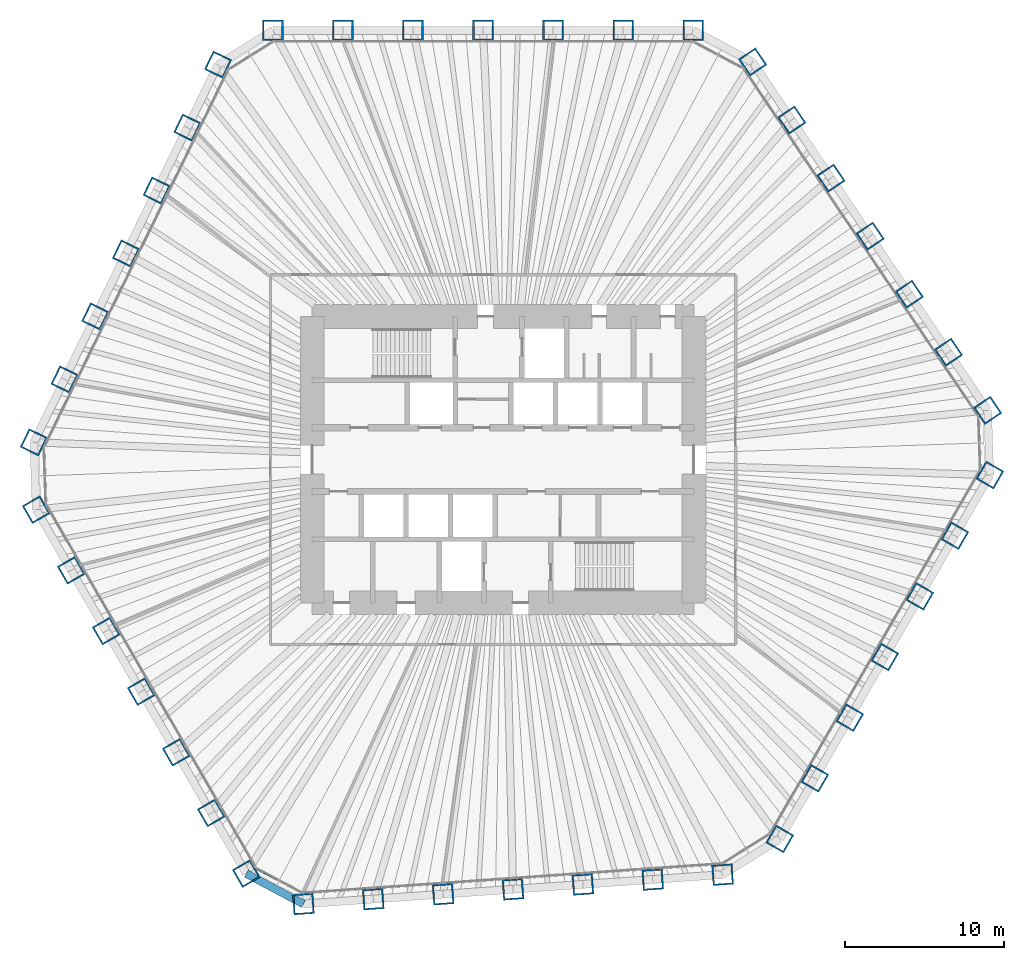
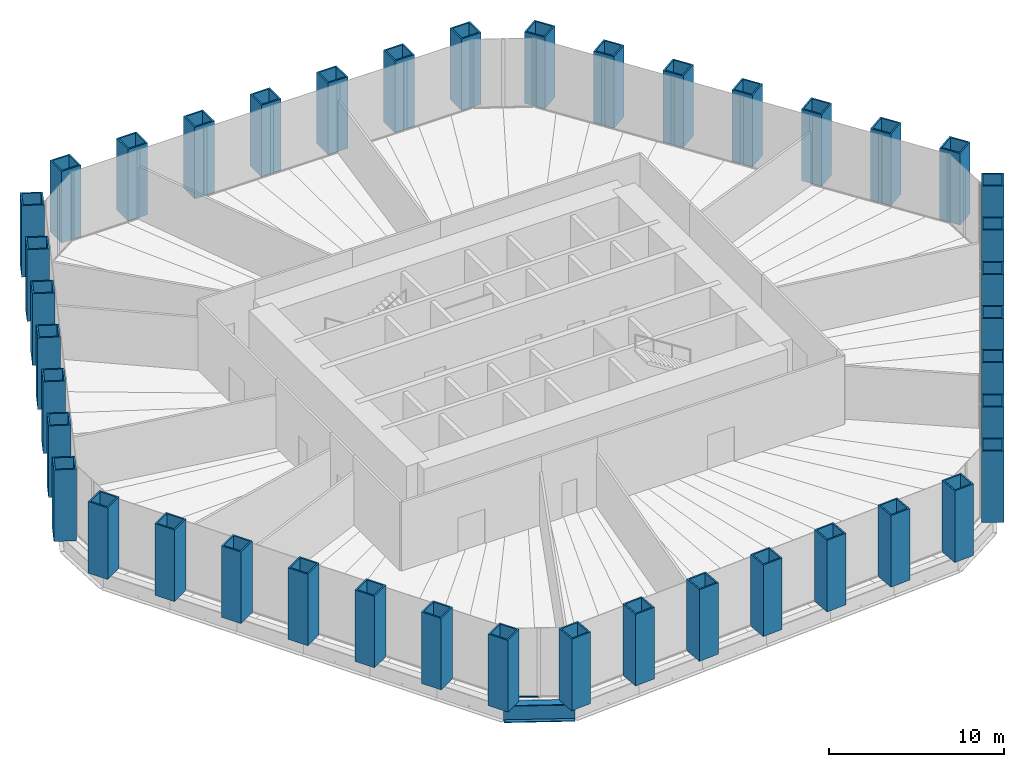
# One storey, part 1 of 13: 42 columns, 1 beam, 1 member, 1 element without a shape of its own.
"""IFC4 building model written with IfcOpenShell, lengths in metres."""

from ifc_helpers import new_model, si_unit, direction, frame, origin, origin_2d, place, context, subcontext, project, spatial, rectangle, hollow_rectangle, i_section, extrude, material, material_profile, profile_set, type_object, element, aggregate, save


model = new_model("IFC4")

# Units and contexts
model_context = context("Model", 3, precision=1e-05, world=origin(), true_north=direction((0.0, 1.0)))
body_context = subcontext(model_context, "Body", "Model", "MODEL_VIEW")
ifc_project = project(units=[si_unit("LENGTHUNIT", "METRE"), si_unit("AREAUNIT", "SQUARE_METRE"), si_unit("VOLUMEUNIT", "CUBIC_METRE"), si_unit("PLANEANGLEUNIT", "RADIAN"), si_unit("MASSUNIT", "GRAM", prefix="KILO")], contexts=[model_context])

# Site, building, storey
site_placement = place(None, origin())
site = spatial("IfcSite", under=ifc_project, at=site_placement, CompositionType="ELEMENT")
building_placement = place(site_placement, origin())
building = spatial("IfcBuilding", under=site, at=building_placement, Name="Qingtian Harvest Tower", CompositionType="ELEMENT")
storey_placement = place(building_placement, frame((0.0, 0.0, 47.0)))
storey = spatial("IfcBuildingStorey", under=building, at=storey_placement, Name="L09", CompositionType="ELEMENT", Elevation=47.0)

# Columns
ifc_material_1 = material(Name="Steel SM570MC", Category="steel")
ifc_material_profile_1 = material_profile(ifc_material_1, hollow_rectangle(XDim=1.300048828125, YDim=1.300048828125, WallThickness=0.10009765625, at=origin_2d()), Name="BOX1300x1300x100")
ifc_profile_set_1 = profile_set([ifc_material_profile_1], Name="Steel SM570MC")
column_type = type_object("IfcColumnType", Name="Tube column TC1 BOX1300x1300x100", PredefinedType="COLUMN", material=ifc_profile_set_1)
for number, where, z_axis, x_axis, name in (
    (1, (-14.471435546875, 27.0, 0.0), (0.0, 0.0, 1.0), (-1.0, 0.0, 0.0), "Tube column TC1 N0"),
    (2, (-10.06689453125, 27.0, 0.0), (0.0, 0.0, 1.0), (-1.0, 0.0, 0.0), "Tube column TC1 N1"),
    (3, (-5.662353515625, 27.0, 0.0), (0.0, 0.0, 1.0), (-1.0, 0.0, 0.0), "Tube column TC1 N2"),
    (4, (-1.257568359375, 27.0, 0.0), (0.0, 0.0, 1.0), (-1.0, 0.0, 0.0), "Tube column TC1 N3"),
    (5, (3.14697265625, 27.0, 0.0), (0.0, 0.0, 1.0), (-1.0, 0.0, 0.0), "Tube column TC1 N4"),
    (6, (7.551513671875, 27.0, 0.0), (0.0, 0.0, 1.0), (-1.0, 0.0, 0.0), "Tube column TC1 N5"),
    (7, (11.9560546875, 27.0, 0.0), (0.0, 0.0, 1.0), (-1.0, 0.0, 0.0), "Tube column TC1 N6"),
    (8, (15.6982421875, 25.01025390625, 0.0), (0.0, 0.0, 1.0), (-0.559192903471, 0.829037572555, 0.0), "Tube column TC1 NE0"),
    (9, (18.1611328125, 21.358642578125, 0.0), (0.0, 0.0, 1.0), (-0.559192903471, 0.829037572555, 0.0), "Tube column TC1 NE1"),
    (10, (20.624267578125, 17.70703125, 0.0), (0.0, 0.0, 1.0), (-0.559192903471, 0.829037572555, 0.0), "Tube column TC1 NE2"),
    (11, (23.08740234375, 14.0556640625, 0.0), (0.0, 0.0, 1.0), (-0.559192903471, 0.829037572555, 0.0), "Tube column TC1 NE3"),
    (12, (25.55029296875, 10.404052734375, 0.0), (0.0, 0.0, 1.0), (-0.559192903471, 0.829037572555, 0.0), "Tube column TC1 NE4"),
    (13, (28.013427734375, 6.75244140625, 0.0), (0.0, 0.0, 1.0), (-0.559192903471, 0.829037572555, 0.0), "Tube column TC1 NE5"),
    (14, (30.476318359375, 3.100830078125, 0.0), (0.0, 0.0, 1.0), (-0.559192903471, 0.829037572555, 0.0), "Tube column TC1 NE6"),
    (15, (30.618408203125, -0.96728515625, 0.0), (0.0, 0.0, 1.0), (0.5, 0.866025403784, 0.0), "Tube column TC1 SE0"),
    (16, (28.416015625, -4.78173828125, 0.0), (0.0, 0.0, 1.0), (0.5, 0.866025403784, 0.0), "Tube column TC1 SE1"),
    (17, (26.2138671875, -8.596435546875, 0.0), (0.0, 0.0, 1.0), (0.5, 0.866025403784, 0.0), "Tube column TC1 SE2"),
    (18, (24.011474609375, -12.410888671875, 0.0), (0.0, 0.0, 1.0), (0.5, 0.866025403784, 0.0), "Tube column TC1 SE3"),
    (19, (21.809326171875, -16.225341796875, 0.0), (0.0, 0.0, 1.0), (0.5, 0.866025403784, 0.0), "Tube column TC1 SE4"),
    (20, (19.60693359375, -20.039794921875, 0.0), (0.0, 0.0, 1.0), (0.5, 0.866025403784, 0.0), "Tube column TC1 SE5"),
    (21, (17.404541015625, -23.854248046875, 0.0), (0.0, 0.0, 1.0), (0.5, 0.866025403784, 0.0), "Tube column TC1 SE6"),
    (22, (13.810546875, -26.10009765625, 0.0), (0.0, 0.0, 1.0), (0.99756405026, 0.069756473744, 0.0), "Tube column TC1 S0"),
    (23, (9.41650390625, -26.407470703125, 0.0), (0.0, 0.0, 1.0), (0.99756405026, 0.069756473744, 0.0), "Tube column TC1 S1"),
    (24, (5.022705078125, -26.714599609375, 0.0), (0.0, 0.0, 1.0), (0.99756405026, 0.069756473744, 0.0), "Tube column TC1 S2"),
    (25, (0.62890625, -27.02197265625, 0.0), (0.0, 0.0, 1.0), (0.99756405026, 0.069756473744, 0.0), "Tube column TC1 S3"),
    (26, (-3.76513671875, -27.3291015625, 0.0), (0.0, 0.0, 1.0), (0.99756405026, 0.069756473744, 0.0), "Tube column TC1 S4"),
    (27, (-8.158935546875, -27.636474609375, 0.0), (0.0, 0.0, 1.0), (0.99756405026, 0.069756473744, 0.0), "Tube column TC1 S5"),
    (28, (-12.552734375, -27.943603515625, 0.0), (0.0, 0.0, 1.0), (0.99756405026, 0.069756473744, 0.0), "Tube column TC1 S6"),
    (29, (-16.14697265625, -26.03271484375, 0.0), (0.0, 0.0, 1.0), (0.5, -0.866025403784, 0.0), "Tube column TC1 SW0"),
    (30, (-18.349365234375, -22.21826171875, 0.0), (0.0, 0.0, 1.0), (0.5, -0.866025403784, 0.0), "Tube column TC1 SW1"),
    (31, (-20.551513671875, -18.403564453125, 0.0), (0.0, 0.0, 1.0), (0.5, -0.866025403784, 0.0), "Tube column TC1 SW2"),
    (32, (-22.75390625, -14.589111328125, 0.0), (0.0, 0.0, 1.0), (0.5, -0.866025403784, 0.0), "Tube column TC1 SW3"),
    (33, (-24.9560546875, -10.774658203125, 0.0), (0.0, 0.0, 1.0), (0.5, -0.866025403784, 0.0), "Tube column TC1 SW4"),
    (34, (-27.158447265625, -6.960205078125, 0.0), (0.0, 0.0, 1.0), (0.5, -0.866025403784, 0.0), "Tube column TC1 SW5"),
    (35, (-29.36083984375, -3.145751953125, 0.0), (0.0, 0.0, 1.0), (0.5, -0.866025403784, 0.0), "Tube column TC1 SW6"),
    (36, (-29.5087890625, 1.08984375, 0.0), (0.0, 0.0, 1.0), (-0.438371146789, -0.898794046299, 0.0), "Tube column TC1 NW0"),
    (37, (-27.577880859375, 5.048828125, 0.0), (0.0, 0.0, 1.0), (-0.438371146789, -0.898794046299, 0.0), "Tube column TC1 NW1"),
    (38, (-25.64697265625, 9.007568359375, 0.0), (0.0, 0.0, 1.0), (-0.438371146789, -0.898794046299, 0.0), "Tube column TC1 NW2"),
    (39, (-23.716064453125, 12.96630859375, 0.0), (0.0, 0.0, 1.0), (-0.438371146789, -0.898794046299, 0.0), "Tube column TC1 NW3"),
    (40, (-21.78515625, 16.92529296875, 0.0), (0.0, 0.0, 1.0), (-0.438371146789, -0.898794046299, 0.0), "Tube column TC1 NW4"),
    (41, (-19.8544921875, 20.884033203125, 0.0), (0.0, 0.0, 1.0), (-0.438371146789, -0.898794046299, 0.0), "Tube column TC1 NW5"),
    (42, (-17.923583984375, 24.8427734375, 0.0), (0.0, 0.0, 1.0), (-0.438371146789, -0.898794046299, 0.0), "Tube column TC1 NW6"),
):
    element("IfcColumn", number, at=place(storey_placement, frame(where, z_axis=z_axis, x_axis=x_axis)), inside=storey, type_object=column_type, Name=name, PredefinedType="COLUMN", context=body_context, shape_type="SweptSolid", body=[
        extrude(hollow_rectangle(XDim=1.300048828125, YDim=1.300048828125, WallThickness=0.10009765625, at=origin_2d()), origin(), (0.0, 0.0, 1.0), 5.0),
    ])

# Beam
ifc_material_2 = material(Name="Steel SM570MC", Category="steel")
ifc_material_profile_2 = material_profile(ifc_material_2, i_section(OverallWidth=0.5, OverallDepth=1.199951171875, WebThickness=0.02490234375, FlangeThickness=0.050048828125, at=origin_2d()), Name="H1200x500x25x50")
ifc_profile_set_2 = profile_set([ifc_material_profile_2], Name="Steel SM570MC")
beam_type = type_object("IfcBeamType", Name="Spandrel beam SB1 H1200x500x25x50", PredefinedType="SPANDREL", material=ifc_profile_set_2)
beam_placement = place(storey_placement, frame((-12.552734375, -27.943603515625, -0.60009765625), z_axis=(-0.882968133669, 0.469432929101, 0.0), x_axis=(-0.469432929101, -0.882968133669, 0.0)))
element("IfcBeam", 43, at=beam_placement, inside=storey, type_object=beam_type, Name="Spandrel SB1 SC", PredefinedType="SPANDREL", context=body_context, shape_type="SweptSolid", body=[
    extrude(i_section(OverallWidth=0.5, OverallDepth=1.199951171875, WebThickness=0.02490234375, FlangeThickness=0.050048828125, at=origin_2d()), origin(), (0.0, 0.0, 1.0), 4.070556640625),
])

# Curtain wall, member
ifc_material_3 = material(Name="Bronze-anodised aluminium curtain wall", Category="aluminium")
curtain_wall_type = type_object("IfcCurtainWallType", Name="Curtain wall CW2 farm reception", PredefinedType="USERDEFINED", material=ifc_material_3)
curtain_wall_placement = place(storey_placement, origin())
curtain_wall = element("IfcCurtainWall", 44, at=curtain_wall_placement, inside=storey, type_object=curtain_wall_type, Name="Curtain wall CW2 L09 SC", ObjectType="RECESSED CURTAIN WALL", PredefinedType="USERDEFINED")
ifc_material_4 = material(Name="Bronze-anodised aluminium transom", Category="aluminium")
ifc_material_profile_3 = material_profile(ifc_material_4, rectangle(XDim=0.14990234375, YDim=0.06494140625, at=origin_2d()), Name="AL 65x150")
ifc_profile_set_3 = profile_set([ifc_material_profile_3], Name="Bronze-anodised aluminium transom")
member_type = type_object("IfcMemberType", Name="Transom CWT 65x150", PredefinedType="USERDEFINED", material=ifc_profile_set_3)
member_placement = place(storey_placement, frame((-14.099853515625, -26.44873046875, 0.032470703125), z_axis=(-0.882960338349, 0.46944759122, 0.0), x_axis=(-0.46944759122, -0.882960338349, 0.0)))
member = element("IfcMember", 45, at=member_placement, type_object=member_type, Name="CW2 transom 2.1", ObjectType="TRANSOM", PredefinedType="USERDEFINED", context=body_context, shape_type="SweptSolid", body=[
    extrude(rectangle(XDim=0.14990234375, YDim=0.06494140625, at=origin_2d()), origin(), (0.0, 0.0, 1.0), 1.56689453125),
])
aggregate(curtain_wall, [member])

save(model, "model.ifc")
